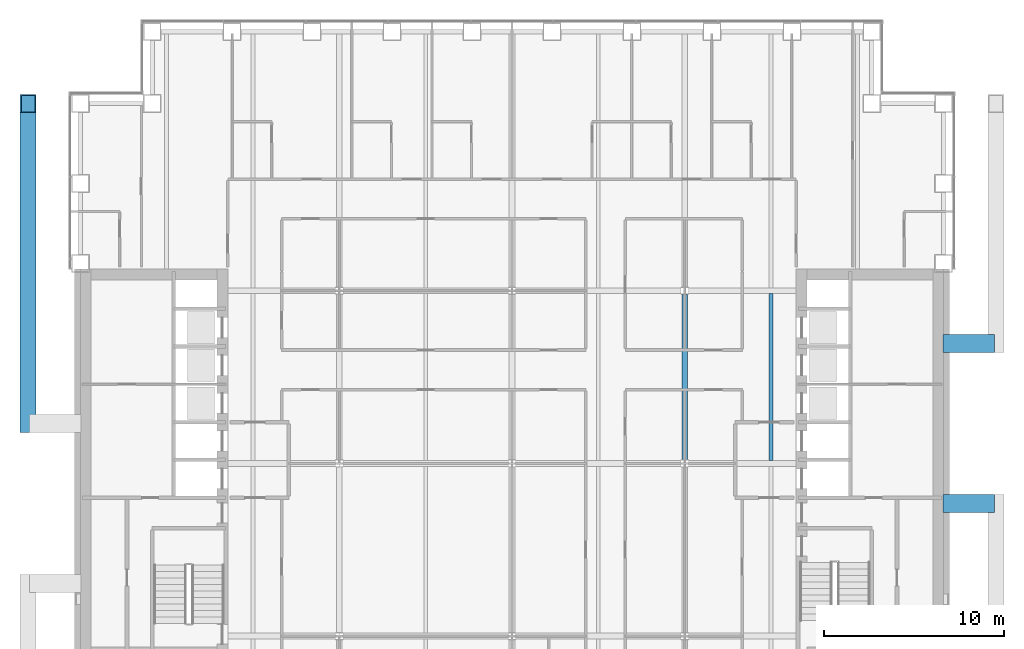
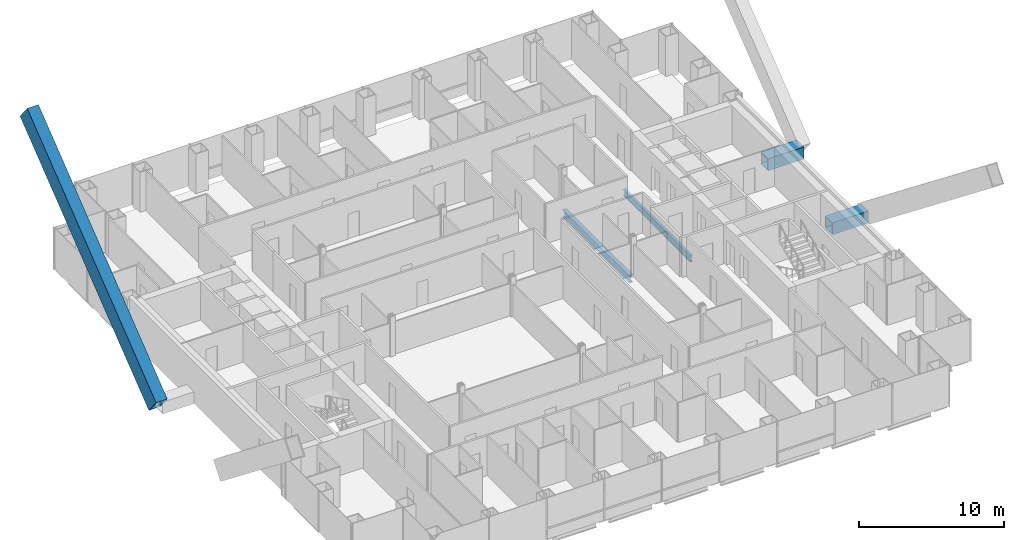
# One storey, part 6 of 23: 4 beams, 1 member.
"""IFC4 building model written with IfcOpenShell, lengths in metres."""

from ifc_helpers import new_model, si_unit, direction, frame, origin, origin_2d, place, context, subcontext, project, spatial, hollow_rectangle, i_section, extrude, material, material_profile, profile_set, type_object, element, save


model = new_model("IFC4")

# Units and contexts
model_context = context("Model", 3, precision=1e-05, world=origin(), true_north=direction((0.0, 1.0)))
body_context = subcontext(model_context, "Body", "Model", "MODEL_VIEW")
ifc_project = project(units=[si_unit("LENGTHUNIT", "METRE"), si_unit("AREAUNIT", "SQUARE_METRE"), si_unit("VOLUMEUNIT", "CUBIC_METRE"), si_unit("PLANEANGLEUNIT", "RADIAN"), si_unit("MASSUNIT", "GRAM", prefix="KILO")], contexts=[model_context])

# Site, building, storey
site_placement = place(None, origin())
site = spatial("IfcSite", under=ifc_project, at=site_placement, CompositionType="ELEMENT")
building_placement = place(site_placement, origin())
building = spatial("IfcBuilding", under=site, at=building_placement, Name="Cobrizo Arcos Hotel Tower", CompositionType="ELEMENT")
storey_placement = place(building_placement, frame((0.0, 0.0, 56.5)))
storey = spatial("IfcBuildingStorey", under=building, at=storey_placement, Name="L12", CompositionType="ELEMENT", Elevation=56.5)

# Beams
ifc_material_1 = material(Name="Steel ASTM A572 Grade 50", Category="steel")
ifc_material_profile_1 = material_profile(ifc_material_1, hollow_rectangle(XDim=1.0, YDim=1.0, WallThickness=0.06005859375, at=origin_2d()), Name="BOX 1000X1000X60")
ifc_profile_set_1 = profile_set([ifc_material_profile_1], Name="Steel ASTM A572 Grade 50")
beam_type_1 = type_object("IfcBeamType", Name="BOX 1000X1000X60 brace connector strut", PredefinedType="BEAM", material=ifc_profile_set_1)
for number, where, z_axis, x_axis, name in (
    (1, (23.949951171875, 6.666748046875, 0.5), (1.0, 0.0, 0.0), (0.0, 1.0, 0.0), "Perimeter brace stub BS1, zone Z1, east face, offset +6.67 m, L12"),
    (2, (23.949951171875, -2.22216796875, 0.5), (1.0, 0.0, 0.0), (0.0, 1.0, 0.0), "Perimeter brace stub BS1, zone Z1, east face, offset -2.22 m, L12"),
):
    element("IfcBeam", number, at=place(storey_placement, frame(where, z_axis=z_axis, x_axis=x_axis)), inside=storey, type_object=beam_type_1, Name=name, PredefinedType="BEAM", context=body_context, shape_type="SweptSolid", body=[
        extrude(hollow_rectangle(XDim=1.0, YDim=1.0, WallThickness=0.06005859375, at=origin_2d()), origin(), (0.0, 0.0, 1.0), 2.8701171875),
    ])

# Member
ifc_material_profile_2 = material_profile(ifc_material_1, hollow_rectangle(XDim=0.89990234375, YDim=1.60009765625, WallThickness=0.070068359375, at=origin_2d()), Name="BOX 900X1600X70")
ifc_profile_set_2 = profile_set([ifc_material_profile_2], Name="Steel ASTM A572 Grade 50")
member_type = type_object("IfcMemberType", Name="BOX 900X1600X70 perimeter brace", PredefinedType="BRACE", material=ifc_profile_set_2)
member_placement = place(storey_placement, frame((-26.89990234375, 2.22216796875, 0.5), z_axis=(0.0, 0.785637232407, 0.618687432437), x_axis=(-1.0, 0.0, 0.0)))
element("IfcMember", 3, at=member_placement, inside=storey, type_object=member_type, Name="Perimeter brace PBR1, zone Z1, west face, no. 02", PredefinedType="BRACE", context=body_context, shape_type="SweptSolid", body=[
    extrude(hollow_rectangle(XDim=0.89990234375, YDim=1.60009765625, WallThickness=0.070068359375, at=origin_2d()), origin(), (0.0, 0.0, 1.0), 22.628662109375),
])

# Beams
ifc_material_2 = material(Name="Steel ASTM A992 Grade 50", Category="steel")
ifc_material_profile_3 = material_profile(ifc_material_2, i_section(OverallWidth=0.209228515625, OverallDepth=0.533447265625, WebThickness=0.01025390625, FlangeThickness=0.015625, at=origin_2d()), Name="W21X62")
ifc_profile_set_3 = profile_set([ifc_material_profile_3], Name="Steel ASTM A992 Grade 50")
beam_type_2 = type_object("IfcBeamType", Name="W21X62 joist", PredefinedType="JOIST", material=ifc_profile_set_3)
beam_1_placement = place(storey_placement, frame((14.39990234375, 0.163818359375, -0.416748046875), z_axis=(0.0, 1.0, 0.0), x_axis=(-1.0, 0.0, 0.0)))
element("IfcBeam", 4, at=beam_1_placement, inside=storey, type_object=beam_type_2, Name="Floor joist J1, L12, no. 017", PredefinedType="JOIST", context=body_context, shape_type="SweptSolid", body=[
    extrude(i_section(OverallWidth=0.209228515625, OverallDepth=0.533447265625, WebThickness=0.01025390625, FlangeThickness=0.015625, at=origin_2d()), origin(), (0.0, 0.0, 1.0), 9.272216796875),
])
ifc_material_profile_4 = material_profile(ifc_material_2, i_section(OverallWidth=0.32763671875, OverallDepth=0.622314453125, WebThickness=0.015380859375, FlangeThickness=0.0244140625, at=origin_2d()), Name="W24X131")
ifc_profile_set_4 = profile_set([ifc_material_profile_4], Name="Steel ASTM A992 Grade 50")
beam_type_3 = type_object("IfcBeamType", Name="W24X131 girder", PredefinedType="BEAM", material=ifc_profile_set_4)
beam_2_placement = place(storey_placement, frame((9.60009765625, 0.204345703125, -0.461181640625), z_axis=(0.0, 1.0, 0.0), x_axis=(-1.0, 0.0, 0.0)))
element("IfcBeam", 5, at=beam_2_placement, inside=storey, type_object=beam_type_3, Name="Floor girder G1, L12, no. 023", PredefinedType="BEAM", context=body_context, shape_type="SweptSolid", body=[
    extrude(i_section(OverallWidth=0.32763671875, OverallDepth=0.622314453125, WebThickness=0.015380859375, FlangeThickness=0.0244140625, at=origin_2d()), origin(), (0.0, 0.0, 1.0), 9.191162109375),
])

save(model, "model.ifc")
